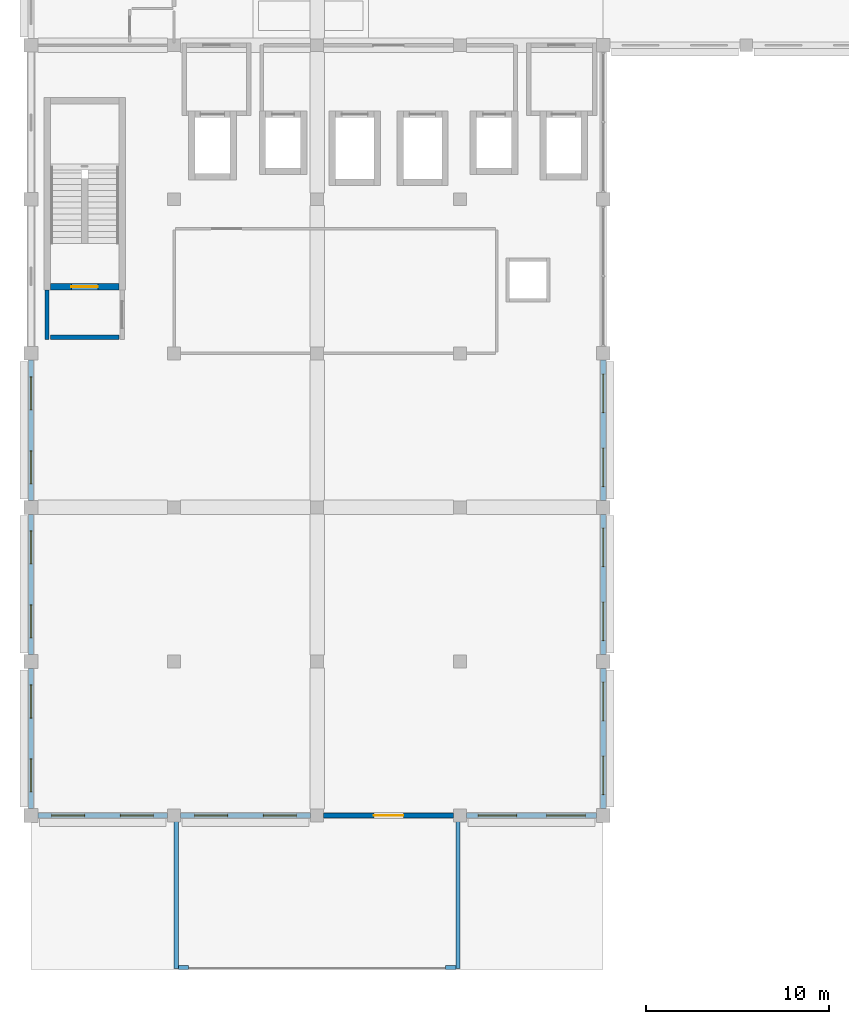
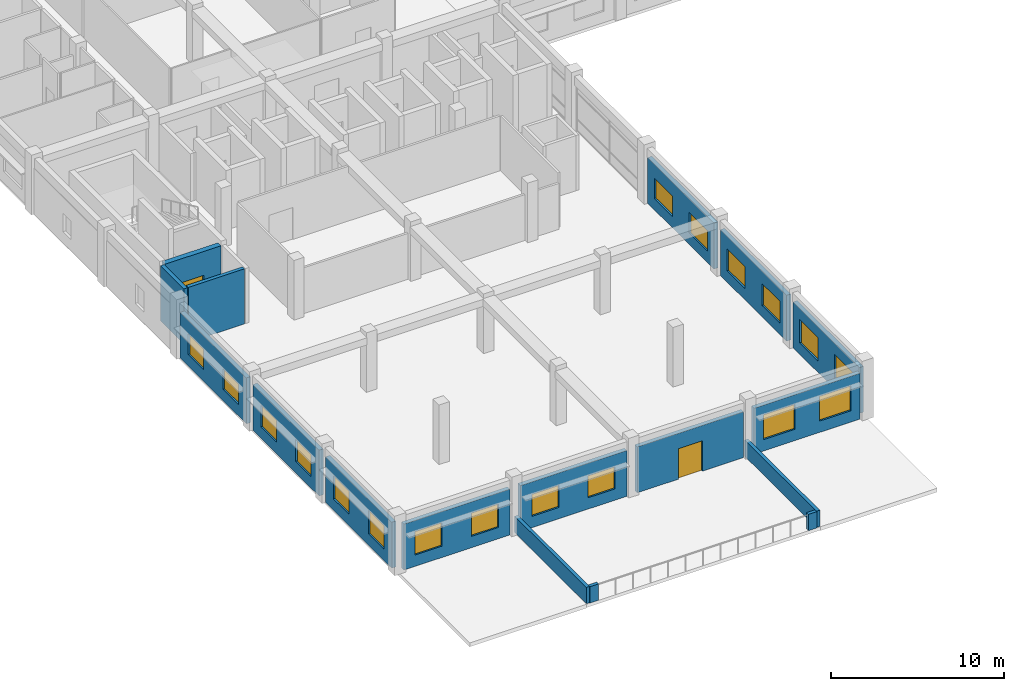
# One storey, part 27 of 53: 18 windows, 17 walls, 2 doors, 20 openings.
"""IFC4 building model written with IfcOpenShell, lengths in metres."""

import ifcopenshell
import ifcopenshell.guid

model = None  # the IFC model being written
_history = None  # IfcOwnerHistory: only IFC2X3 demands one
_inside = {}  # id of a spatial element -> (the spatial element, [elements in it])
_under = {}  # id of a project, library or spatial element -> (it, [spatial elements below it])
_declared = {}  # id of a project -> (the project, [libraries it declares])
_typed = {}  # id of a type object -> (the type object, [elements of that type])
_made_of = {}  # id of a material, layer set ... -> (it, [elements and type objects made of it])


def new_model(schema):
    """Start an empty IFC model of exactly this schema.

    Asked for "IFC4X3", IfcOpenShell would pick the latest addendum, in which some entities
    have other attributes; the version numbers below select the first issue.
    IFC2X3 requires an IfcOwnerHistory on every rooted entity: one is made here for all.
    """
    global model, _history
    if schema == "IFC4X3":
        model = ifcopenshell.file(schema_version=(4, 3, 0, 0))
    else:
        model = ifcopenshell.file(schema=schema)
    _inside.clear()
    _under.clear()
    _declared.clear()
    _typed.clear()
    _made_of.clear()
    _history = None
    if model.schema == "IFC2X3":
        org = make("IfcOrganization", Name="unknown")
        user = make(
            "IfcPersonAndOrganization",
            ThePerson=make("IfcPerson", FamilyName="unknown"),
            TheOrganization=org,
        )
        app = make(
            "IfcApplication",
            ApplicationDeveloper=org,
            Version="unknown",
            ApplicationFullName="unknown",
            ApplicationIdentifier="unknown",
        )
        _history = make(
            "IfcOwnerHistory",
            OwningUser=user,
            OwningApplication=app,
            ChangeAction="ADDED",
            CreationDate=0,
        )
    return model


def make(cls, **values):
    """One entity of the class cls with the attributes given. An attribute that is None is left unset."""
    return model.create_entity(
        cls, **{name: value for name, value in values.items() if value is not None}
    )


def rooted(cls, **values):
    """An entity with a GlobalId (a new one), such as an element, a storey or a relation."""
    return make(cls, GlobalId=ifcopenshell.guid.new(), OwnerHistory=_history, **values)


def si_unit(unit_type, name, prefix=None):
    """IfcSIUnit, for example si_unit("LENGTHUNIT", "METRE", prefix="MILLI")."""
    return make("IfcSIUnit", UnitType=unit_type, Prefix=prefix, Name=name)


def assignment(units):
    """IfcUnitAssignment: the units of a project."""
    return None if units is None else make("IfcUnitAssignment", Units=units)


def point(xyz):
    """IfcCartesianPoint."""
    return None if xyz is None else make("IfcCartesianPoint", Coordinates=xyz)


def direction(xyz):
    """IfcDirection."""
    return None if xyz is None else make("IfcDirection", DirectionRatios=xyz)


def frame(location, z_axis=None, x_axis=None):
    """IfcAxis2Placement3D, a coordinate frame: its origin and axes. An axis left out is left unset."""
    return make(
        "IfcAxis2Placement3D",
        Location=point(location),
        Axis=direction(z_axis),
        RefDirection=direction(x_axis),
    )


def frame_2d(location, x_axis=None):
    """IfcAxis2Placement2D, a coordinate frame in the plane: its origin and x axis."""
    return make(
        "IfcAxis2Placement2D", Location=point(location), RefDirection=direction(x_axis)
    )


def origin():
    """The frame at (0, 0, 0) with its axes left unset."""
    return frame((0.0, 0.0, 0.0))


def place(relative_to, where):
    """IfcLocalPlacement: puts the frame where relative to a parent placement (None: the world)."""
    return make(
        "IfcLocalPlacement", PlacementRelTo=relative_to, RelativePlacement=where
    )


def context(
    kind, dimensions, precision=None, world=None, true_north=None, identifier=None
):
    """IfcGeometricRepresentationContext, for example the 3D "Model" context."""
    return make(
        "IfcGeometricRepresentationContext",
        ContextIdentifier=identifier,
        ContextType=kind,
        CoordinateSpaceDimension=dimensions,
        Precision=precision,
        WorldCoordinateSystem=world,
        TrueNorth=true_north,
    )


def subcontext(parent, identifier, kind, view, scale=None):
    """IfcGeometricRepresentationSubContext, for example "Body" below "Model"."""
    return make(
        "IfcGeometricRepresentationSubContext",
        ContextIdentifier=identifier,
        ContextType=kind,
        ParentContext=parent,
        TargetScale=scale,
        TargetView=view,
    )


def project(units=None, contexts=None):
    """IfcProject with its units and contexts."""
    return rooted(
        "IfcProject",
        Name="project",
        RepresentationContexts=contexts,
        UnitsInContext=assignment(units),
    )


def spatial(cls, under=None, at=None, **own):
    """A site, building, storey or space (cls), placed at a placement, below another one or the project."""
    s = rooted(cls, ObjectPlacement=at, **own)
    if under is not None:
        _under.setdefault(under.id(), (under, []))[1].append(s)
    return s


def profile(cls, at=None, kind="AREA", **sizes):
    """A parametric profile (cls). Its sizes go by their IFC names, for example OverallWidth=200.0."""
    return make(cls, ProfileType=kind, Position=at, **sizes)


def rectangle(**sizes):
    """IfcRectangleProfileDef."""
    return profile("IfcRectangleProfileDef", **sizes)


def extrude(swept, where, along, depth):
    """IfcExtrudedAreaSolid: the profile swept, set in the frame where, extruded along a direction by depth."""
    return make(
        "IfcExtrudedAreaSolid",
        SweptArea=swept,
        Position=where,
        ExtrudedDirection=direction(along),
        Depth=depth,
    )


def shape(context_of_items, identifier, shape_type, items):
    """IfcShapeRepresentation: the items that make up one representation, for example the "Body"."""
    return make(
        "IfcShapeRepresentation",
        ContextOfItems=context_of_items,
        RepresentationIdentifier=identifier,
        RepresentationType=shape_type,
        Items=items,
    )


def material(Name=None, Category=None):
    """IfcMaterial."""
    return make("IfcMaterial", Name=Name, Category=Category)


def layer(
    of_material, thickness, ventilated=None, Name=None, Category=None, Priority=None
):
    """IfcMaterialLayer: one layer of a wall or slab, of a material (None: an air gap)."""
    return make(
        "IfcMaterialLayer",
        Material=of_material,
        LayerThickness=thickness,
        IsVentilated=ventilated,
        Name=Name,
        Category=Category,
        Priority=Priority,
    )


def layer_set(layers, Name=None):
    """IfcMaterialLayerSet."""
    return make("IfcMaterialLayerSet", MaterialLayers=layers, LayerSetName=Name)


def made_of(thing, what):
    """Note that an element or type object is made of a material, layer set ...; save() writes the relation."""
    if what is not None:
        _made_of.setdefault(what.id(), (what, []))[1].append(thing)
    return thing


def type_object(cls, material=None, **own):
    """A type object (cls), such as IfcWallType, which elements share."""
    return made_of(rooted(cls, **own), material)


def element(
    cls,
    number,
    at=None,
    inside=None,
    cuts=None,
    type_object=None,
    material=None,
    context=None,
    identifier="Body",
    shape_type=None,
    held_by="IfcProductDefinitionShape",
    body=None,
    shapes=None,
    **own,
):
    """One element of the class cls, such as IfcWall. Its Tag is "e" and its number.

    at: its placement. inside: the storey or other place that contains it. cuts: it is an
    opening in that element (IfcRelVoidsElement). A single representation is given by context,
    identifier, shape_type and body (its items); several are given by shapes. held_by: the class
    of the entity that holds the representations. save() writes the other relations.
    """
    e = rooted(cls, Tag="e%d" % number, ObjectPlacement=at, **own)
    if body is not None:
        shapes = [shape(context, identifier, shape_type, body)]
    if shapes is not None:
        e.Representation = make(held_by, Representations=shapes)
    if inside is not None:
        _inside.setdefault(inside.id(), (inside, []))[1].append(e)
    if cuts is not None:
        rooted(
            "IfcRelVoidsElement", RelatingBuildingElement=cuts, RelatedOpeningElement=e
        )
    if type_object is not None:
        _typed.setdefault(type_object.id(), (type_object, []))[1].append(e)
    return made_of(e, material)


def fill(opening, filler):
    """IfcRelFillsElement: the door or window that sits in an opening."""
    return rooted(
        "IfcRelFillsElement",
        RelatingOpeningElement=opening,
        RelatedBuildingElement=filler,
    )


def aggregate(whole, parts):
    """IfcRelAggregates: a whole, such as a stair, and the parts it consists of."""
    return rooted("IfcRelAggregates", RelatingObject=whole, RelatedObjects=parts)


def save(model, path):
    """Write the relations noted so far, then the file.

    IfcRelAggregates (storeys below a building ...), IfcRelContainedInSpatialStructure (elements
    in a storey), IfcRelDefinesByType, IfcRelAssociatesMaterial and IfcRelDeclares: one each for
    every whole, place, type object, material and project.
    """
    for whole, parts in _under.values():
        aggregate(whole, parts)
    for where, things in _inside.values():
        rooted(
            "IfcRelContainedInSpatialStructure",
            RelatedElements=things,
            RelatingStructure=where,
        )
    for kind, things in _typed.values():
        rooted("IfcRelDefinesByType", RelatedObjects=things, RelatingType=kind)
    for what, things in _made_of.values():
        rooted("IfcRelAssociatesMaterial", RelatedObjects=things, RelatingMaterial=what)
    for by, libraries in _declared.values():
        rooted("IfcRelDeclares", RelatingContext=by, RelatedDefinitions=libraries)
    model.write(path)


model = new_model("IFC4")

# Units and contexts
model_context = context("Model", 3, precision=1e-05, world=origin(), true_north=direction((0.0, 1.0)))
body_context = subcontext(model_context, "Body", "Model", "MODEL_VIEW")
ifc_project = project(units=[si_unit("LENGTHUNIT", "METRE"), si_unit("AREAUNIT", "SQUARE_METRE"), si_unit("VOLUMEUNIT", "CUBIC_METRE"), si_unit("PLANEANGLEUNIT", "RADIAN"), si_unit("MASSUNIT", "GRAM", prefix="KILO"), si_unit("THERMODYNAMICTEMPERATUREUNIT", "KELVIN"), si_unit("POWERUNIT", "WATT")], contexts=[model_context])

# Site, building, storey
site_placement = place(None, origin())
site = spatial("IfcSite", under=ifc_project, at=site_placement, CompositionType="ELEMENT")
building_placement = place(site_placement, origin())
building = spatial("IfcBuilding", under=site, at=building_placement, Name="Srebrne Nadtorze General Hospital", CompositionType="ELEMENT")
storey_placement = place(building_placement, frame((0.0, 0.0, 18.0)))
storey = spatial("IfcBuildingStorey", under=building, at=storey_placement, Name="L04", CompositionType="ELEMENT", Elevation=18.0)

# Walls
ifc_material_1 = material(Name="Gypsum Healthcare Partition")
ifc_layer_1 = layer(ifc_material_1, 0.239990234375)
ifc_layer_set_1 = layer_set([ifc_layer_1], Name="Gypsum Healthcare Partition")
wall_type_1 = type_object("IfcWallType", Name="Corridor fire wall 240", PredefinedType="STANDARD", material=ifc_layer_set_1)
wall_1_placement = place(storey_placement, frame((24.27490234375, 34.35498046875, 0.0), z_axis=(0.0, 0.0, 1.0), x_axis=(0.0, 1.0, 0.0)))
element("IfcWall", 1, at=wall_1_placement, inside=storey, type_object=wall_type_1, Name="Fire lobby wall ST-01 WL-INT-L04-0293", PredefinedType="STANDARD", context=body_context, shape_type="SweptSolid", body=[
    extrude(rectangle(XDim=2.695068359375, YDim=0.239990234375, at=frame_2d((1.34765625, 0.0))), origin(), (0.0, 0.0, 1.0), 3.885009765625),
])
wall_2_placement = place(storey_placement, frame((24.449951171875, 34.47509765625, 0.0), z_axis=(0.0, 0.0, 1.0), x_axis=(1.0, 0.0, 0.0)))
element("IfcWall", 2, at=wall_2_placement, inside=storey, type_object=wall_type_1, Name="Fire lobby entry wall ST-01 WL-INT-L04-0295", PredefinedType="STANDARD", context=body_context, shape_type="SweptSolid", body=[
    extrude(rectangle(XDim=3.75, YDim=0.239990234375, at=frame_2d((1.875, 0.0))), origin(), (0.0, 0.0, 1.0), 3.885009765625),
])
ifc_material_2 = material(Name="Concrete C35/45 precast", Category="concrete")
ifc_layer_2 = layer(ifc_material_2, 0.219970703125)
ifc_layer_set_2 = layer_set([ifc_layer_2], Name="Concrete C35/45 precast")
wall_type_2 = type_object("IfcWallType", Name="Roof parapet wall 220", PredefinedType="PARAPET", material=ifc_layer_set_2)
for number, where, z_axis, x_axis, name in (
    (3, (31.320068359375, 0.050048828125, 0.0), (0.0, 0.0, 1.0), (0.0, 1.0, 0.0), "Terrace divider parapet WP-TER-L04-09"),
    (4, (46.679931640625, 0.050048828125, 0.0), (0.0, 0.0, 1.0), (0.0, 1.0, 0.0), "Terrace divider parapet WP-TER-L04-10"),
):
    element("IfcWall", number, at=place(storey_placement, frame(where, z_axis=z_axis, x_axis=x_axis)), inside=storey, type_object=wall_type_2, Name=name, PredefinedType="PARAPET", context=body_context, shape_type="SweptSolid", body=[
        extrude(rectangle(XDim=8.300048828125, YDim=0.219970703125, at=frame_2d((4.14990234375, 0.0))), origin(), (0.0, 0.0, 1.0), 1.14990234375),
    ])
for number, where, z_axis, x_axis, name in (
    (5, (31.429931640625, 0.1201171875, 0.0), (0.0, 0.0, 1.0), (1.0, 0.0, 0.0), "Terrace divider parapet WP-TER-L04-11"),
    (6, (46.0, 0.1201171875, 0.0), (0.0, 0.0, 1.0), (1.0, 0.0, 0.0), "Terrace divider parapet WP-TER-L04-12"),
):
    element("IfcWall", number, at=place(storey_placement, frame(where, z_axis=z_axis, x_axis=x_axis)), inside=storey, type_object=wall_type_2, Name=name, PredefinedType="PARAPET", context=body_context, shape_type="SweptSolid", body=[
        extrude(rectangle(XDim=0.570068359375, YDim=0.219970703125, at=frame_2d((0.28515625, 0.0))), origin(), (0.0, 0.0, 1.0), 1.14990234375),
    ])

# Wall, opening, door
ifc_material_3 = material(Name="Concrete C40/50", Category="concrete")
ifc_layer_3 = layer(ifc_material_3, 0.35009765625)
ifc_layer_set_3 = layer_set([ifc_layer_3], Name="Concrete C40/50")
wall_type_3 = type_object("IfcWallType", Name="Shear core wall 350", PredefinedType="SHEAR", material=ifc_layer_set_3)
wall_3_placement = place(storey_placement, frame((24.449951171875, 37.22509765625, 0.0), z_axis=(0.0, 0.0, 1.0), x_axis=(1.0, 0.0, 0.0)))
wall_3 = element("IfcWall", 7, at=wall_3_placement, inside=storey, type_object=wall_type_3, Name="Stairwell fire wall ST-01 WL-INT-L04-0292", PredefinedType="SHEAR", context=body_context, shape_type="SweptSolid", body=[
    extrude(rectangle(XDim=3.75, YDim=0.35009765625, at=frame_2d((1.875, 0.0))), origin(), (0.0, 0.0, 1.0), 3.885009765625),
])
opening_1_placement = place(wall_3_placement, frame((1.14990234375, 0.0, 0.0)))
opening_1 = element("IfcOpeningElement", 8, at=opening_1_placement, cuts=wall_3, Name="Opening D-L04-0073", PredefinedType="OPENING", context=body_context, shape_type="SweptSolid", body=[
    extrude(rectangle(XDim=1.449951171875, YDim=2.199951171875, at=frame_2d((0.72509765625, 1.10009765625))), frame((0.0, 0.18701171875, 0.0), z_axis=(0.0, -1.0, 0.0), x_axis=(1.0, 0.0, 0.0)), (0.0, 0.0, 1.0), 0.3740234375),
])
ifc_material_4 = material(Name="Anodised Aluminium", Category="aluminium")
door_type_1 = type_object("IfcDoorType", Name="Double leaf door 1450x2200", OperationType="DOUBLE_DOOR_SINGLE_SWING", PredefinedType="DOOR", material=ifc_material_4)
door_1_placement = place(opening_1_placement, origin())
door_1 = element("IfcDoor", 9, at=door_1_placement, inside=storey, type_object=door_type_1, Name="Protected stair door ST-01 D-L04-0073", OperationType="DOUBLE_DOOR_SINGLE_SWING", OverallHeight=2.199951171875, OverallWidth=1.449951171875, PredefinedType="DOOR", context=body_context, shape_type="SweptSolid", body=[
    extrude(rectangle(XDim=1.449951171875, YDim=2.199951171875, at=frame_2d((0.72509765625, 1.10009765625))), frame((0.0, 0.02490234375, 0.0), z_axis=(0.0, -1.0, 0.0), x_axis=(1.0, 0.0, 0.0)), (0.0, 0.0, 1.0), 0.050048828125),
])
fill(opening_1, door_1)

# Wall, openings, windows
ifc_material_5 = material(Name="Concrete C35/45 precast", Category="concrete")
ifc_layer_4 = layer(ifc_material_5, 0.280029296875)
ifc_layer_set_4 = layer_set([ifc_layer_4], Name="Concrete C35/45 precast")
wall_type_4 = type_object("IfcWallType", Name="Spandrel wall 280", PredefinedType="STANDARD", material=ifc_layer_set_4)
wall_4_placement = place(storey_placement, frame((23.77490234375, 8.39990234375, 0.0), z_axis=(0.0, 0.0, 1.0), x_axis=(1.0, 0.0, 0.0)))
wall_4 = element("IfcWall", 10, at=wall_4_placement, inside=storey, type_object=wall_type_4, Name="Exterior wall WL-ENV-L04-0350", PredefinedType="STANDARD", context=body_context, shape_type="SweptSolid", body=[
    extrude(rectangle(XDim=7.0751953125, YDim=0.280029296875, at=frame_2d((3.53759765625, 0.0))), origin(), (0.0, 0.0, 1.0), 3.235107421875),
])
opening_2_placement = place(wall_4_placement, frame((0.7529296875, 0.0, 0.800048828125)))
opening_2 = element("IfcOpeningElement", 11, at=opening_2_placement, cuts=wall_4, Name="Opening WN-L04-0525", PredefinedType="OPENING", context=body_context, shape_type="SweptSolid", body=[
    extrude(rectangle(XDim=1.800048828125, YDim=1.64990234375, at=frame_2d((0.89990234375, 0.824951171875))), frame((0.0, 0.15185546875, 0.0), z_axis=(0.0, -1.0, 0.0), x_axis=(1.0, 0.0, 0.0)), (0.0, 0.0, 1.0), 0.303955078125),
])
opening_3_placement = place(wall_4_placement, frame((4.4970703125, 0.0, 0.800048828125)))
opening_3 = element("IfcOpeningElement", 12, at=opening_3_placement, cuts=wall_4, Name="Opening WN-L04-0526", PredefinedType="OPENING", context=body_context, shape_type="SweptSolid", body=[
    extrude(rectangle(XDim=1.800048828125, YDim=1.64990234375, at=frame_2d((0.89990234375, 0.824951171875))), frame((0.0, 0.15185546875, 0.0), z_axis=(0.0, -1.0, 0.0), x_axis=(1.0, 0.0, 0.0)), (0.0, 0.0, 1.0), 0.303955078125),
])
ifc_material_6 = material(Name="Triple Low-E Glazing", Category="glass")
window_type_1 = type_object("IfcWindowType", Name="Punched clinical window 1800x1650", PartitioningType="DOUBLE_PANEL_VERTICAL", PredefinedType="WINDOW", material=ifc_material_6)
window_1_placement = place(opening_2_placement, origin())
window_1 = element("IfcWindow", 13, at=window_1_placement, inside=storey, type_object=window_type_1, Name="Clinical window WN-L04-0525", OverallHeight=1.64990234375, OverallWidth=1.800048828125, PartitioningType="DOUBLE_PANEL_VERTICAL", PredefinedType="WINDOW", context=body_context, shape_type="SweptSolid", body=[
    extrude(rectangle(XDim=1.800048828125, YDim=1.64990234375, at=frame_2d((0.89990234375, 0.824951171875))), frame((0.0, 0.030029296875, 0.0), z_axis=(0.0, -1.0, 0.0), x_axis=(1.0, 0.0, 0.0)), (0.0, 0.0, 1.0), 0.06005859375),
])
fill(opening_2, window_1)
window_2_placement = place(opening_3_placement, origin())
window_2 = element("IfcWindow", 14, at=window_2_placement, inside=storey, type_object=window_type_1, Name="Clinical window WN-L04-0526", OverallHeight=1.64990234375, OverallWidth=1.800048828125, PartitioningType="DOUBLE_PANEL_VERTICAL", PredefinedType="WINDOW", context=body_context, shape_type="SweptSolid", body=[
    extrude(rectangle(XDim=1.800048828125, YDim=1.64990234375, at=frame_2d((0.89990234375, 0.824951171875))), frame((0.0, 0.030029296875, 0.0), z_axis=(0.0, -1.0, 0.0), x_axis=(1.0, 0.0, 0.0)), (0.0, 0.0, 1.0), 0.06005859375),
])
fill(opening_3, window_2)

wall_5_placement = place(storey_placement, frame((31.550048828125, 8.39990234375, 0.0), z_axis=(0.0, 0.0, 1.0), x_axis=(1.0, 0.0, 0.0)))
wall_5 = element("IfcWall", 15, at=wall_5_placement, inside=storey, type_object=wall_type_4, Name="Exterior wall WL-ENV-L04-0351", PredefinedType="STANDARD", context=body_context, shape_type="SweptSolid", body=[
    extrude(rectangle(XDim=7.099853515625, YDim=0.280029296875, at=frame_2d((3.5498046875, 0.0))), origin(), (0.0, 0.0, 1.0), 3.235107421875),
])
opening_4_placement = place(wall_5_placement, frame((0.778076171875, 0.0, 0.800048828125)))
opening_4 = element("IfcOpeningElement", 16, at=opening_4_placement, cuts=wall_5, Name="Opening WN-L04-0527", PredefinedType="OPENING", context=body_context, shape_type="SweptSolid", body=[
    extrude(rectangle(XDim=1.800048828125, YDim=1.550048828125, at=frame_2d((0.89990234375, 0.77490234375))), frame((0.0, 0.15185546875, 0.0), z_axis=(0.0, -1.0, 0.0), x_axis=(1.0, 0.0, 0.0)), (0.0, 0.0, 1.0), 0.303955078125),
])
opening_5_placement = place(wall_5_placement, frame((4.52197265625, 0.0, 0.800048828125)))
opening_5 = element("IfcOpeningElement", 17, at=opening_5_placement, cuts=wall_5, Name="Opening WN-L04-0528", PredefinedType="OPENING", context=body_context, shape_type="SweptSolid", body=[
    extrude(rectangle(XDim=1.800048828125, YDim=1.550048828125, at=frame_2d((0.89990234375, 0.77490234375))), frame((0.0, 0.15185546875, 0.0), z_axis=(0.0, -1.0, 0.0), x_axis=(1.0, 0.0, 0.0)), (0.0, 0.0, 1.0), 0.303955078125),
])
ifc_material_7 = material(Name="Triple Low-E Glazing", Category="glass")
window_type_2 = type_object("IfcWindowType", Name="Punched clinical window 1800x1550", PartitioningType="DOUBLE_PANEL_VERTICAL", PredefinedType="WINDOW", material=ifc_material_7)
window_3_placement = place(opening_4_placement, origin())
window_3 = element("IfcWindow", 18, at=window_3_placement, inside=storey, type_object=window_type_2, Name="Clinical window WN-L04-0527", OverallHeight=1.550048828125, OverallWidth=1.800048828125, PartitioningType="DOUBLE_PANEL_VERTICAL", PredefinedType="WINDOW", context=body_context, shape_type="SweptSolid", body=[
    extrude(rectangle(XDim=1.800048828125, YDim=1.550048828125, at=frame_2d((0.89990234375, 0.77490234375))), frame((0.0, 0.030029296875, 0.0), z_axis=(0.0, -1.0, 0.0), x_axis=(1.0, 0.0, 0.0)), (0.0, 0.0, 1.0), 0.06005859375),
])
fill(opening_4, window_3)
window_4_placement = place(opening_5_placement, origin())
window_4 = element("IfcWindow", 19, at=window_4_placement, inside=storey, type_object=window_type_2, Name="Clinical window WN-L04-0528", OverallHeight=1.550048828125, OverallWidth=1.800048828125, PartitioningType="DOUBLE_PANEL_VERTICAL", PredefinedType="WINDOW", context=body_context, shape_type="SweptSolid", body=[
    extrude(rectangle(XDim=1.800048828125, YDim=1.550048828125, at=frame_2d((0.89990234375, 0.77490234375))), frame((0.0, 0.030029296875, 0.0), z_axis=(0.0, -1.0, 0.0), x_axis=(1.0, 0.0, 0.0)), (0.0, 0.0, 1.0), 0.06005859375),
])
fill(opening_5, window_4)

# Wall, opening, door
wall_6_placement = place(storey_placement, frame((39.35009765625, 8.39990234375, 0.0), z_axis=(0.0, 0.0, 1.0), x_axis=(1.0, 0.0, 0.0)))
wall_6 = element("IfcWall", 20, at=wall_6_placement, inside=storey, type_object=wall_type_4, Name="Exterior wall WL-ENV-L04-0352", PredefinedType="STANDARD", context=body_context, shape_type="SweptSolid", body=[
    extrude(rectangle(XDim=7.099853515625, YDim=0.280029296875, at=frame_2d((3.5498046875, 0.0))), origin(), (0.0, 0.0, 1.0), 3.235107421875),
])
opening_6_placement = place(wall_6_placement, frame((2.75, 0.0, 0.0)))
opening_6 = element("IfcOpeningElement", 21, at=opening_6_placement, cuts=wall_6, Name="Opening D-L04-E020", PredefinedType="OPENING", context=body_context, shape_type="SweptSolid", body=[
    extrude(rectangle(XDim=1.60009765625, YDim=2.14990234375, at=frame_2d((0.800048828125, 1.074951171875))), frame((0.0, 0.15185546875, 0.0), z_axis=(0.0, -1.0, 0.0), x_axis=(1.0, 0.0, 0.0)), (0.0, 0.0, 1.0), 0.303955078125),
])
ifc_material_8 = material(Name="Anodised Aluminium", Category="aluminium")
door_type_2 = type_object("IfcDoorType", Name="Double leaf door 1600x2150", OperationType="DOUBLE_DOOR_SINGLE_SWING", PredefinedType="DOOR", material=ifc_material_8)
door_2_placement = place(opening_6_placement, frame((1.60009765625, 0.0, 0.0), z_axis=(0.0, 0.0, 1.0), x_axis=(-1.0, 0.0, 0.0)))
door_2 = element("IfcDoor", 22, at=door_2_placement, inside=storey, type_object=door_type_2, Name="Exterior door D-L04-E020", OperationType="DOUBLE_DOOR_SINGLE_SWING", OverallHeight=2.14990234375, OverallWidth=1.60009765625, PredefinedType="DOOR", context=body_context, shape_type="SweptSolid", body=[
    extrude(rectangle(XDim=1.60009765625, YDim=2.14990234375, at=frame_2d((0.800048828125, 1.074951171875))), frame((0.0, 0.02490234375, 0.0), z_axis=(0.0, -1.0, 0.0), x_axis=(1.0, 0.0, 0.0)), (0.0, 0.0, 1.0), 0.050048828125),
])
fill(opening_6, door_2)

# Wall, openings, windows
wall_7_placement = place(storey_placement, frame((47.14990234375, 8.39990234375, 0.0), z_axis=(0.0, 0.0, 1.0), x_axis=(1.0, 0.0, 0.0)))
wall_7 = element("IfcWall", 23, at=wall_7_placement, inside=storey, type_object=wall_type_4, Name="Exterior wall WL-ENV-L04-0353", PredefinedType="STANDARD", context=body_context, shape_type="SweptSolid", body=[
    extrude(rectangle(XDim=7.0751953125, YDim=0.280029296875, at=frame_2d((3.53759765625, 0.0))), origin(), (0.0, 0.0, 1.0), 3.235107421875),
])
opening_7_placement = place(wall_7_placement, frame((0.6279296875, 0.0, 0.800048828125)))
opening_7 = element("IfcOpeningElement", 24, at=opening_7_placement, cuts=wall_7, Name="Opening WN-L04-0529", PredefinedType="OPENING", context=body_context, shape_type="SweptSolid", body=[
    extrude(rectangle(XDim=2.10009765625, YDim=1.75, at=frame_2d((1.050048828125, 0.875))), frame((0.0, 0.15185546875, 0.0), z_axis=(0.0, -1.0, 0.0), x_axis=(1.0, 0.0, 0.0)), (0.0, 0.0, 1.0), 0.303955078125),
])
opening_8_placement = place(wall_7_placement, frame((4.3720703125, 0.0, 0.800048828125)))
opening_8 = element("IfcOpeningElement", 25, at=opening_8_placement, cuts=wall_7, Name="Opening WN-L04-0530", PredefinedType="OPENING", context=body_context, shape_type="SweptSolid", body=[
    extrude(rectangle(XDim=2.10009765625, YDim=1.75, at=frame_2d((1.050048828125, 0.875))), frame((0.0, 0.15185546875, 0.0), z_axis=(0.0, -1.0, 0.0), x_axis=(1.0, 0.0, 0.0)), (0.0, 0.0, 1.0), 0.303955078125),
])
ifc_material_9 = material(Name="Triple Low-E Glazing", Category="glass")
window_type_3 = type_object("IfcWindowType", Name="Punched clinical window 2100x1750", PartitioningType="DOUBLE_PANEL_VERTICAL", PredefinedType="WINDOW", material=ifc_material_9)
window_5_placement = place(opening_7_placement, origin())
window_5 = element("IfcWindow", 26, at=window_5_placement, inside=storey, type_object=window_type_3, Name="Clinical window WN-L04-0529", OverallHeight=1.75, OverallWidth=2.10009765625, PartitioningType="DOUBLE_PANEL_VERTICAL", PredefinedType="WINDOW", context=body_context, shape_type="SweptSolid", body=[
    extrude(rectangle(XDim=2.10009765625, YDim=1.75, at=frame_2d((1.050048828125, 0.875))), frame((0.0, 0.030029296875, 0.0), z_axis=(0.0, -1.0, 0.0), x_axis=(1.0, 0.0, 0.0)), (0.0, 0.0, 1.0), 0.06005859375),
])
fill(opening_7, window_5)
window_6_placement = place(opening_8_placement, origin())
window_6 = element("IfcWindow", 27, at=window_6_placement, inside=storey, type_object=window_type_3, Name="Clinical window WN-L04-0530", OverallHeight=1.75, OverallWidth=2.10009765625, PartitioningType="DOUBLE_PANEL_VERTICAL", PredefinedType="WINDOW", context=body_context, shape_type="SweptSolid", body=[
    extrude(rectangle(XDim=2.10009765625, YDim=1.75, at=frame_2d((1.050048828125, 0.875))), frame((0.0, 0.030029296875, 0.0), z_axis=(0.0, -1.0, 0.0), x_axis=(1.0, 0.0, 0.0)), (0.0, 0.0, 1.0), 0.06005859375),
])
fill(opening_8, window_6)

wall_8_placement = place(storey_placement, frame((23.39990234375, 8.77490234375, 0.0), z_axis=(0.0, 0.0, 1.0), x_axis=(0.0, 1.0, 0.0)))
wall_8 = element("IfcWall", 28, at=wall_8_placement, inside=storey, type_object=wall_type_4, Name="Exterior wall WL-ENV-L04-0376", PredefinedType="STANDARD", context=body_context, shape_type="SweptSolid", body=[
    extrude(rectangle(XDim=7.650146484375, YDim=0.280029296875, at=frame_2d((3.8251953125, 0.0))), origin(), (0.0, 0.0, 1.0), 3.235107421875),
])
opening_9_placement = place(wall_8_placement, frame((0.908935546875, 0.0, 0.800048828125)))
opening_9 = element("IfcOpeningElement", 29, at=opening_9_placement, cuts=wall_8, Name="Opening WN-L04-0575", PredefinedType="OPENING", context=body_context, shape_type="SweptSolid", body=[
    extrude(rectangle(XDim=1.800048828125, YDim=1.64990234375, at=frame_2d((0.89990234375, 0.824951171875))), frame((0.0, 0.15185546875, 0.0), z_axis=(0.0, -1.0, 0.0), x_axis=(1.0, 0.0, 0.0)), (0.0, 0.0, 1.0), 0.303955078125),
])
opening_10_placement = place(wall_8_placement, frame((4.94091796875, 0.0, 0.800048828125)))
opening_10 = element("IfcOpeningElement", 30, at=opening_10_placement, cuts=wall_8, Name="Opening WN-L04-0576", PredefinedType="OPENING", context=body_context, shape_type="SweptSolid", body=[
    extrude(rectangle(XDim=1.800048828125, YDim=1.64990234375, at=frame_2d((0.89990234375, 0.824951171875))), frame((0.0, 0.15185546875, 0.0), z_axis=(0.0, -1.0, 0.0), x_axis=(1.0, 0.0, 0.0)), (0.0, 0.0, 1.0), 0.303955078125),
])
window_7_placement = place(opening_9_placement, origin())
window_7 = element("IfcWindow", 31, at=window_7_placement, inside=storey, type_object=window_type_1, Name="Clinical window WN-L04-0575", OverallHeight=1.64990234375, OverallWidth=1.800048828125, PartitioningType="DOUBLE_PANEL_VERTICAL", PredefinedType="WINDOW", context=body_context, shape_type="SweptSolid", body=[
    extrude(rectangle(XDim=1.800048828125, YDim=1.64990234375, at=frame_2d((0.89990234375, 0.824951171875))), frame((0.0, 0.030029296875, 0.0), z_axis=(0.0, -1.0, 0.0), x_axis=(1.0, 0.0, 0.0)), (0.0, 0.0, 1.0), 0.06005859375),
])
fill(opening_9, window_7)
window_8_placement = place(opening_10_placement, origin())
window_8 = element("IfcWindow", 32, at=window_8_placement, inside=storey, type_object=window_type_1, Name="Clinical window WN-L04-0576", OverallHeight=1.64990234375, OverallWidth=1.800048828125, PartitioningType="DOUBLE_PANEL_VERTICAL", PredefinedType="WINDOW", context=body_context, shape_type="SweptSolid", body=[
    extrude(rectangle(XDim=1.800048828125, YDim=1.64990234375, at=frame_2d((0.89990234375, 0.824951171875))), frame((0.0, 0.030029296875, 0.0), z_axis=(0.0, -1.0, 0.0), x_axis=(1.0, 0.0, 0.0)), (0.0, 0.0, 1.0), 0.06005859375),
])
fill(opening_10, window_8)

wall_9_placement = place(storey_placement, frame((23.39990234375, 17.175048828125, 0.0), z_axis=(0.0, 0.0, 1.0), x_axis=(0.0, 1.0, 0.0)))
wall_9 = element("IfcWall", 33, at=wall_9_placement, inside=storey, type_object=wall_type_4, Name="Exterior wall WL-ENV-L04-0377", PredefinedType="STANDARD", context=body_context, shape_type="SweptSolid", body=[
    extrude(rectangle(XDim=7.64990234375, YDim=0.280029296875, at=frame_2d((3.824951171875, 0.0))), origin(), (0.0, 0.0, 1.0), 3.235107421875),
])
opening_11_placement = place(wall_9_placement, frame((0.908935546875, 0.0, 0.800048828125)))
opening_11 = element("IfcOpeningElement", 34, at=opening_11_placement, cuts=wall_9, Name="Opening WN-L04-0577", PredefinedType="OPENING", context=body_context, shape_type="SweptSolid", body=[
    extrude(rectangle(XDim=1.800048828125, YDim=1.550048828125, at=frame_2d((0.89990234375, 0.77490234375))), frame((0.0, 0.15185546875, 0.0), z_axis=(0.0, -1.0, 0.0), x_axis=(1.0, 0.0, 0.0)), (0.0, 0.0, 1.0), 0.303955078125),
])
opening_12_placement = place(wall_9_placement, frame((4.94091796875, 0.0, 0.800048828125)))
opening_12 = element("IfcOpeningElement", 35, at=opening_12_placement, cuts=wall_9, Name="Opening WN-L04-0578", PredefinedType="OPENING", context=body_context, shape_type="SweptSolid", body=[
    extrude(rectangle(XDim=1.800048828125, YDim=1.550048828125, at=frame_2d((0.89990234375, 0.77490234375))), frame((0.0, 0.15185546875, 0.0), z_axis=(0.0, -1.0, 0.0), x_axis=(1.0, 0.0, 0.0)), (0.0, 0.0, 1.0), 0.303955078125),
])
window_9_placement = place(opening_11_placement, origin())
window_9 = element("IfcWindow", 36, at=window_9_placement, inside=storey, type_object=window_type_2, Name="Clinical window WN-L04-0577", OverallHeight=1.550048828125, OverallWidth=1.800048828125, PartitioningType="DOUBLE_PANEL_VERTICAL", PredefinedType="WINDOW", context=body_context, shape_type="SweptSolid", body=[
    extrude(rectangle(XDim=1.800048828125, YDim=1.550048828125, at=frame_2d((0.89990234375, 0.77490234375))), frame((0.0, 0.030029296875, 0.0), z_axis=(0.0, -1.0, 0.0), x_axis=(1.0, 0.0, 0.0)), (0.0, 0.0, 1.0), 0.06005859375),
])
fill(opening_11, window_9)
window_10_placement = place(opening_12_placement, origin())
window_10 = element("IfcWindow", 37, at=window_10_placement, inside=storey, type_object=window_type_2, Name="Clinical window WN-L04-0578", OverallHeight=1.550048828125, OverallWidth=1.800048828125, PartitioningType="DOUBLE_PANEL_VERTICAL", PredefinedType="WINDOW", context=body_context, shape_type="SweptSolid", body=[
    extrude(rectangle(XDim=1.800048828125, YDim=1.550048828125, at=frame_2d((0.89990234375, 0.77490234375))), frame((0.0, 0.030029296875, 0.0), z_axis=(0.0, -1.0, 0.0), x_axis=(1.0, 0.0, 0.0)), (0.0, 0.0, 1.0), 0.06005859375),
])
fill(opening_12, window_10)

wall_10_placement = place(storey_placement, frame((23.39990234375, 25.574951171875, 0.0), z_axis=(0.0, 0.0, 1.0), x_axis=(0.0, 1.0, 0.0)))
wall_10 = element("IfcWall", 38, at=wall_10_placement, inside=storey, type_object=wall_type_4, Name="Exterior wall WL-ENV-L04-0378", PredefinedType="STANDARD", context=body_context, shape_type="SweptSolid", body=[
    extrude(rectangle(XDim=7.650146484375, YDim=0.280029296875, at=frame_2d((3.8251953125, 0.0))), origin(), (0.0, 0.0, 1.0), 3.235107421875),
])
opening_13_placement = place(wall_10_placement, frame((0.908935546875, 0.0, 0.800048828125)))
opening_13 = element("IfcOpeningElement", 39, at=opening_13_placement, cuts=wall_10, Name="Opening WN-L04-0579", PredefinedType="OPENING", context=body_context, shape_type="SweptSolid", body=[
    extrude(rectangle(XDim=1.800048828125, YDim=1.449951171875, at=frame_2d((0.89990234375, 0.72509765625))), frame((0.0, 0.15185546875, 0.0), z_axis=(0.0, -1.0, 0.0), x_axis=(1.0, 0.0, 0.0)), (0.0, 0.0, 1.0), 0.303955078125),
])
opening_14_placement = place(wall_10_placement, frame((4.94091796875, 0.0, 0.800048828125)))
opening_14 = element("IfcOpeningElement", 40, at=opening_14_placement, cuts=wall_10, Name="Opening WN-L04-0580", PredefinedType="OPENING", context=body_context, shape_type="SweptSolid", body=[
    extrude(rectangle(XDim=1.800048828125, YDim=1.449951171875, at=frame_2d((0.89990234375, 0.72509765625))), frame((0.0, 0.15185546875, 0.0), z_axis=(0.0, -1.0, 0.0), x_axis=(1.0, 0.0, 0.0)), (0.0, 0.0, 1.0), 0.303955078125),
])
ifc_material_10 = material(Name="Triple Low-E Glazing", Category="glass")
window_type_4 = type_object("IfcWindowType", Name="Punched clinical window 1800x1450", PartitioningType="DOUBLE_PANEL_VERTICAL", PredefinedType="WINDOW", material=ifc_material_10)
window_11_placement = place(opening_13_placement, origin())
window_11 = element("IfcWindow", 41, at=window_11_placement, inside=storey, type_object=window_type_4, Name="Clinical window WN-L04-0579", OverallHeight=1.449951171875, OverallWidth=1.800048828125, PartitioningType="DOUBLE_PANEL_VERTICAL", PredefinedType="WINDOW", context=body_context, shape_type="SweptSolid", body=[
    extrude(rectangle(XDim=1.800048828125, YDim=1.449951171875, at=frame_2d((0.89990234375, 0.72509765625))), frame((0.0, 0.030029296875, 0.0), z_axis=(0.0, -1.0, 0.0), x_axis=(1.0, 0.0, 0.0)), (0.0, 0.0, 1.0), 0.06005859375),
])
fill(opening_13, window_11)
window_12_placement = place(opening_14_placement, origin())
window_12 = element("IfcWindow", 42, at=window_12_placement, inside=storey, type_object=window_type_4, Name="Clinical window WN-L04-0580", OverallHeight=1.449951171875, OverallWidth=1.800048828125, PartitioningType="DOUBLE_PANEL_VERTICAL", PredefinedType="WINDOW", context=body_context, shape_type="SweptSolid", body=[
    extrude(rectangle(XDim=1.800048828125, YDim=1.449951171875, at=frame_2d((0.89990234375, 0.72509765625))), frame((0.0, 0.030029296875, 0.0), z_axis=(0.0, -1.0, 0.0), x_axis=(1.0, 0.0, 0.0)), (0.0, 0.0, 1.0), 0.06005859375),
])
fill(opening_14, window_12)

wall_11_placement = place(storey_placement, frame((54.60009765625, 8.77490234375, 0.0), z_axis=(0.0, 0.0, 1.0), x_axis=(0.0, 1.0, 0.0)))
wall_11 = element("IfcWall", 43, at=wall_11_placement, inside=storey, type_object=wall_type_4, Name="Exterior wall WL-ENV-L04-0386", PredefinedType="STANDARD", context=body_context, shape_type="SweptSolid", body=[
    extrude(rectangle(XDim=7.650146484375, YDim=0.280029296875, at=frame_2d((3.8251953125, 0.0))), origin(), (0.0, 0.0, 1.0), 3.235107421875),
])
opening_15_placement = place(wall_11_placement, frame((0.759033203125, 0.0, 0.800048828125)))
opening_15 = element("IfcOpeningElement", 44, at=opening_15_placement, cuts=wall_11, Name="Opening WN-L04-0591", PredefinedType="OPENING", context=body_context, shape_type="SweptSolid", body=[
    extrude(rectangle(XDim=2.10009765625, YDim=1.64990234375, at=frame_2d((1.050048828125, 0.824951171875))), frame((0.0, 0.15185546875, 0.0), z_axis=(0.0, -1.0, 0.0), x_axis=(1.0, 0.0, 0.0)), (0.0, 0.0, 1.0), 0.303955078125),
])
opening_16_placement = place(wall_11_placement, frame((4.791015625, 0.0, 0.800048828125)))
opening_16 = element("IfcOpeningElement", 45, at=opening_16_placement, cuts=wall_11, Name="Opening WN-L04-0592", PredefinedType="OPENING", context=body_context, shape_type="SweptSolid", body=[
    extrude(rectangle(XDim=2.10009765625, YDim=1.64990234375, at=frame_2d((1.050048828125, 0.824951171875))), frame((0.0, 0.15185546875, 0.0), z_axis=(0.0, -1.0, 0.0), x_axis=(1.0, 0.0, 0.0)), (0.0, 0.0, 1.0), 0.303955078125),
])
ifc_material_11 = material(Name="Triple Low-E Glazing", Category="glass")
window_type_5 = type_object("IfcWindowType", Name="Punched clinical window 2100x1650", PartitioningType="DOUBLE_PANEL_VERTICAL", PredefinedType="WINDOW", material=ifc_material_11)
window_13_placement = place(opening_15_placement, origin())
window_13 = element("IfcWindow", 46, at=window_13_placement, inside=storey, type_object=window_type_5, Name="Clinical window WN-L04-0591", OverallHeight=1.64990234375, OverallWidth=2.10009765625, PartitioningType="DOUBLE_PANEL_VERTICAL", PredefinedType="WINDOW", context=body_context, shape_type="SweptSolid", body=[
    extrude(rectangle(XDim=2.10009765625, YDim=1.64990234375, at=frame_2d((1.050048828125, 0.824951171875))), frame((0.0, 0.030029296875, 0.0), z_axis=(0.0, -1.0, 0.0), x_axis=(1.0, 0.0, 0.0)), (0.0, 0.0, 1.0), 0.06005859375),
])
fill(opening_15, window_13)
window_14_placement = place(opening_16_placement, origin())
window_14 = element("IfcWindow", 47, at=window_14_placement, inside=storey, type_object=window_type_5, Name="Clinical window WN-L04-0592", OverallHeight=1.64990234375, OverallWidth=2.10009765625, PartitioningType="DOUBLE_PANEL_VERTICAL", PredefinedType="WINDOW", context=body_context, shape_type="SweptSolid", body=[
    extrude(rectangle(XDim=2.10009765625, YDim=1.64990234375, at=frame_2d((1.050048828125, 0.824951171875))), frame((0.0, 0.030029296875, 0.0), z_axis=(0.0, -1.0, 0.0), x_axis=(1.0, 0.0, 0.0)), (0.0, 0.0, 1.0), 0.06005859375),
])
fill(opening_16, window_14)

wall_12_placement = place(storey_placement, frame((54.60009765625, 17.175048828125, 0.0), z_axis=(0.0, 0.0, 1.0), x_axis=(0.0, 1.0, 0.0)))
wall_12 = element("IfcWall", 48, at=wall_12_placement, inside=storey, type_object=wall_type_4, Name="Exterior wall WL-ENV-L04-0387", PredefinedType="STANDARD", context=body_context, shape_type="SweptSolid", body=[
    extrude(rectangle(XDim=7.64990234375, YDim=0.280029296875, at=frame_2d((3.824951171875, 0.0))), origin(), (0.0, 0.0, 1.0), 3.235107421875),
])
opening_17_placement = place(wall_12_placement, frame((0.759033203125, 0.0, 0.800048828125)))
opening_17 = element("IfcOpeningElement", 49, at=opening_17_placement, cuts=wall_12, Name="Opening WN-L04-0593", PredefinedType="OPENING", context=body_context, shape_type="SweptSolid", body=[
    extrude(rectangle(XDim=2.10009765625, YDim=1.550048828125, at=frame_2d((1.050048828125, 0.77490234375))), frame((0.0, 0.15185546875, 0.0), z_axis=(0.0, -1.0, 0.0), x_axis=(1.0, 0.0, 0.0)), (0.0, 0.0, 1.0), 0.303955078125),
])
opening_18_placement = place(wall_12_placement, frame((4.791015625, 0.0, 0.800048828125)))
opening_18 = element("IfcOpeningElement", 50, at=opening_18_placement, cuts=wall_12, Name="Opening WN-L04-0594", PredefinedType="OPENING", context=body_context, shape_type="SweptSolid", body=[
    extrude(rectangle(XDim=2.10009765625, YDim=1.550048828125, at=frame_2d((1.050048828125, 0.77490234375))), frame((0.0, 0.15185546875, 0.0), z_axis=(0.0, -1.0, 0.0), x_axis=(1.0, 0.0, 0.0)), (0.0, 0.0, 1.0), 0.303955078125),
])
ifc_material_12 = material(Name="Triple Low-E Glazing", Category="glass")
window_type_6 = type_object("IfcWindowType", Name="Punched clinical window 2100x1550", PartitioningType="DOUBLE_PANEL_VERTICAL", PredefinedType="WINDOW", material=ifc_material_12)
window_15_placement = place(opening_17_placement, origin())
window_15 = element("IfcWindow", 51, at=window_15_placement, inside=storey, type_object=window_type_6, Name="Clinical window WN-L04-0593", OverallHeight=1.550048828125, OverallWidth=2.10009765625, PartitioningType="DOUBLE_PANEL_VERTICAL", PredefinedType="WINDOW", context=body_context, shape_type="SweptSolid", body=[
    extrude(rectangle(XDim=2.10009765625, YDim=1.550048828125, at=frame_2d((1.050048828125, 0.77490234375))), frame((0.0, 0.030029296875, 0.0), z_axis=(0.0, -1.0, 0.0), x_axis=(1.0, 0.0, 0.0)), (0.0, 0.0, 1.0), 0.06005859375),
])
fill(opening_17, window_15)
window_16_placement = place(opening_18_placement, origin())
window_16 = element("IfcWindow", 52, at=window_16_placement, inside=storey, type_object=window_type_6, Name="Clinical window WN-L04-0594", OverallHeight=1.550048828125, OverallWidth=2.10009765625, PartitioningType="DOUBLE_PANEL_VERTICAL", PredefinedType="WINDOW", context=body_context, shape_type="SweptSolid", body=[
    extrude(rectangle(XDim=2.10009765625, YDim=1.550048828125, at=frame_2d((1.050048828125, 0.77490234375))), frame((0.0, 0.030029296875, 0.0), z_axis=(0.0, -1.0, 0.0), x_axis=(1.0, 0.0, 0.0)), (0.0, 0.0, 1.0), 0.06005859375),
])
fill(opening_18, window_16)

wall_13_placement = place(storey_placement, frame((54.60009765625, 25.574951171875, 0.0), z_axis=(0.0, 0.0, 1.0), x_axis=(0.0, 1.0, 0.0)))
wall_13 = element("IfcWall", 53, at=wall_13_placement, inside=storey, type_object=wall_type_4, Name="Exterior wall WL-ENV-L04-0388", PredefinedType="STANDARD", context=body_context, shape_type="SweptSolid", body=[
    extrude(rectangle(XDim=7.650146484375, YDim=0.280029296875, at=frame_2d((3.8251953125, 0.0))), origin(), (0.0, 0.0, 1.0), 3.235107421875),
])
opening_19_placement = place(wall_13_placement, frame((0.759033203125, 0.0, 0.800048828125)))
opening_19 = element("IfcOpeningElement", 54, at=opening_19_placement, cuts=wall_13, Name="Opening WN-L04-0595", PredefinedType="OPENING", context=body_context, shape_type="SweptSolid", body=[
    extrude(rectangle(XDim=2.10009765625, YDim=1.449951171875, at=frame_2d((1.050048828125, 0.72509765625))), frame((0.0, 0.15185546875, 0.0), z_axis=(0.0, -1.0, 0.0), x_axis=(1.0, 0.0, 0.0)), (0.0, 0.0, 1.0), 0.303955078125),
])
opening_20_placement = place(wall_13_placement, frame((4.791015625, 0.0, 0.800048828125)))
opening_20 = element("IfcOpeningElement", 55, at=opening_20_placement, cuts=wall_13, Name="Opening WN-L04-0596", PredefinedType="OPENING", context=body_context, shape_type="SweptSolid", body=[
    extrude(rectangle(XDim=2.10009765625, YDim=1.449951171875, at=frame_2d((1.050048828125, 0.72509765625))), frame((0.0, 0.15185546875, 0.0), z_axis=(0.0, -1.0, 0.0), x_axis=(1.0, 0.0, 0.0)), (0.0, 0.0, 1.0), 0.303955078125),
])
ifc_material_13 = material(Name="Triple Low-E Glazing", Category="glass")
window_type_7 = type_object("IfcWindowType", Name="Punched clinical window 2100x1450", PartitioningType="DOUBLE_PANEL_VERTICAL", PredefinedType="WINDOW", material=ifc_material_13)
window_17_placement = place(opening_19_placement, origin())
window_17 = element("IfcWindow", 56, at=window_17_placement, inside=storey, type_object=window_type_7, Name="Clinical window WN-L04-0595", OverallHeight=1.449951171875, OverallWidth=2.10009765625, PartitioningType="DOUBLE_PANEL_VERTICAL", PredefinedType="WINDOW", context=body_context, shape_type="SweptSolid", body=[
    extrude(rectangle(XDim=2.10009765625, YDim=1.449951171875, at=frame_2d((1.050048828125, 0.72509765625))), frame((0.0, 0.030029296875, 0.0), z_axis=(0.0, -1.0, 0.0), x_axis=(1.0, 0.0, 0.0)), (0.0, 0.0, 1.0), 0.06005859375),
])
fill(opening_19, window_17)
window_18_placement = place(opening_20_placement, origin())
window_18 = element("IfcWindow", 57, at=window_18_placement, inside=storey, type_object=window_type_7, Name="Clinical window WN-L04-0596", OverallHeight=1.449951171875, OverallWidth=2.10009765625, PartitioningType="DOUBLE_PANEL_VERTICAL", PredefinedType="WINDOW", context=body_context, shape_type="SweptSolid", body=[
    extrude(rectangle(XDim=2.10009765625, YDim=1.449951171875, at=frame_2d((1.050048828125, 0.72509765625))), frame((0.0, 0.030029296875, 0.0), z_axis=(0.0, -1.0, 0.0), x_axis=(1.0, 0.0, 0.0)), (0.0, 0.0, 1.0), 0.06005859375),
])
fill(opening_20, window_18)

save(model, "model.ifc")
